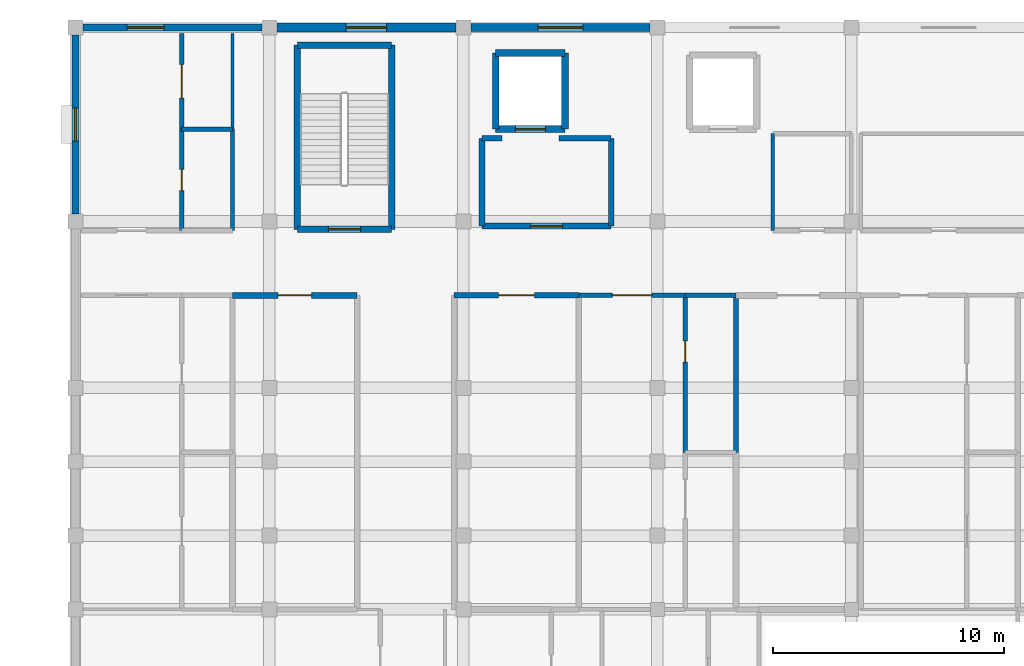
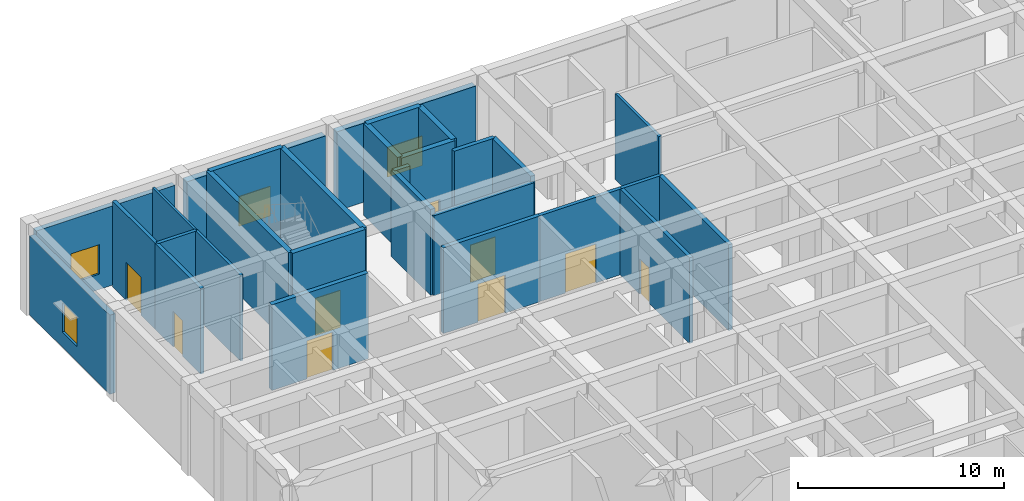
# One storey, part 57 of 89: 29 walls, 9 doors, 4 windows, 13 openings.
"""IFC4 building model written with IfcOpenShell, lengths in metres."""

from ifc_helpers import new_model, si_unit, direction, frame, frame_2d, origin, place, context, subcontext, project, spatial, rectangle, extrude, material, layer, layer_set, type_object, element, fill, save


model = new_model("IFC4")

# Units and contexts
model_context = context("Model", 3, precision=1e-05, world=origin(), true_north=direction((0.0, 1.0)))
body_context = subcontext(model_context, "Body", "Model", "MODEL_VIEW")
ifc_project = project(units=[si_unit("LENGTHUNIT", "METRE"), si_unit("AREAUNIT", "SQUARE_METRE"), si_unit("VOLUMEUNIT", "CUBIC_METRE"), si_unit("PLANEANGLEUNIT", "RADIAN"), si_unit("MASSUNIT", "GRAM", prefix="KILO")], contexts=[model_context])

# Site, building, storey
site_placement = place(None, origin())
site = spatial("IfcSite", under=ifc_project, at=site_placement, CompositionType="ELEMENT")
building_placement = place(site_placement, origin())
building = spatial("IfcBuilding", under=site, at=building_placement, Name="Varncliffe General Hospital", CompositionType="ELEMENT")
storey_placement = place(building_placement, frame((0.0, 0.0, 10.800048828125)))
storey = spatial("IfcBuildingStorey", under=building, at=storey_placement, Name="L02", CompositionType="ELEMENT", Elevation=10.800048828125)

# Wall, opening, window
ifc_material_1 = material(Name="Precast concrete C40/50 with insulated cream lime-cement stucco", Category="concrete")
ifc_layer_1 = layer(ifc_material_1, 0.31005859375)
ifc_layer_set_1 = layer_set([ifc_layer_1], Name="Precast concrete C40/50 with insulated cream lime-cement stucco")
wall_type_1 = type_object("IfcWallType", Name="Exterior Insulated Stucco Wall EW20 (310mm)", PredefinedType="SOLIDWALL", material=ifc_layer_set_1)
wall_1_placement = place(storey_placement, frame((0.0, 116.722900390625, 0.0), z_axis=(0.0, 0.0, 1.0), x_axis=(0.0, 1.0, 0.0)))
wall_1 = element("IfcWall", 1, at=wall_1_placement, inside=storey, type_object=wall_type_1, Name="L02 Exterior Stucco Wall EW20-171", PredefinedType="SOLIDWALL", context=body_context, shape_type="SweptSolid", body=[
    extrude(rectangle(XDim=7.754150390625, YDim=0.31005859375, at=frame_2d((3.876953125, 0.0))), origin(), (0.0, 0.0, 1.0), 4.679931640625),
])
opening_1_placement = place(wall_1_placement, frame((3.152099609375, 0.0, 0.89990234375)))
opening_1 = element("IfcOpeningElement", 2, at=opening_1_placement, cuts=wall_1, Name="Opening WN88", PredefinedType="OPENING", context=body_context, shape_type="SweptSolid", body=[
    extrude(rectangle(XDim=1.449951171875, YDim=1.75, at=frame_2d((0.72509765625, 0.875))), frame((0.0, 0.1650390625, 0.0), z_axis=(0.0, -1.0, 0.0), x_axis=(1.0, 0.0, 0.0)), (0.0, 0.0, 1.0), 0.330078125),
])
ifc_material_2 = material(Name="Triple low-E argon insulated vision glazing", Category="glass")
window_type_1 = type_object("IfcWindowType", Name="Triple-Glazed Hospital Window WN88 (1450x1750)", PartitioningType="SINGLE_PANEL", PredefinedType="WINDOW", material=ifc_material_2)
window_1_placement = place(opening_1_placement, origin())
window_1 = element("IfcWindow", 3, at=window_1_placement, inside=storey, type_object=window_type_1, Name="L02 Hospital Window WN88-106", OverallHeight=1.75, OverallWidth=1.449951171875, PartitioningType="SINGLE_PANEL", PredefinedType="WINDOW", context=body_context, shape_type="SweptSolid", body=[
    extrude(rectangle(XDim=1.449951171875, YDim=1.75, at=frame_2d((0.72509765625, 0.875))), frame((0.0, 0.030029296875, 0.0), z_axis=(0.0, -1.0, 0.0), x_axis=(1.0, 0.0, 0.0)), (0.0, 0.0, 1.0), 0.06005859375),
])
fill(opening_1, window_1)

ifc_layer_2 = layer(ifc_material_1, 0.3798828125)
ifc_layer_set_2 = layer_set([ifc_layer_2], Name="Precast concrete C40/50 with insulated cream lime-cement stucco")
wall_type_2 = type_object("IfcWallType", Name="Exterior Insulated Stucco Wall EW26 (380mm)", PredefinedType="SOLIDWALL", material=ifc_layer_set_2)
wall_2_placement = place(storey_placement, frame((8.722900390625, 124.800048828125, 0.0), z_axis=(0.0, 0.0, 1.0), x_axis=(1.0, 0.0, 0.0)))
wall_2 = element("IfcWall", 4, at=wall_2_placement, inside=storey, type_object=wall_type_2, Name="L02 Exterior Stucco Wall EW26-173", PredefinedType="SOLIDWALL", context=body_context, shape_type="SweptSolid", body=[
    extrude(rectangle(XDim=7.754150390625, YDim=0.3798828125, at=frame_2d((3.876953125, 0.0))), origin(), (0.0, 0.0, 1.0), 4.679931640625),
])
opening_2_placement = place(wall_2_placement, frame((3.001953125, 0.0, 0.89990234375)))
opening_2 = element("IfcOpeningElement", 5, at=opening_2_placement, cuts=wall_2, Name="Opening WN82", PredefinedType="OPENING", context=body_context, shape_type="SweptSolid", body=[
    extrude(rectangle(XDim=1.75, YDim=1.75, at=frame_2d((0.875, 0.875))), frame((0.0, 0.199951171875, 0.0), z_axis=(0.0, -1.0, 0.0), x_axis=(1.0, 0.0, 0.0)), (0.0, 0.0, 1.0), 0.39990234375),
])
window_type_2 = type_object("IfcWindowType", Name="Triple-Glazed Hospital Window WN82 (1750x1750)", PartitioningType="DOUBLE_PANEL_VERTICAL", PredefinedType="WINDOW", material=ifc_material_2)
window_2_placement = place(opening_2_placement, origin())
window_2 = element("IfcWindow", 6, at=window_2_placement, inside=storey, type_object=window_type_2, Name="L02 Hospital Window WN82-108", OverallHeight=1.75, OverallWidth=1.75, PartitioningType="DOUBLE_PANEL_VERTICAL", PredefinedType="WINDOW", context=body_context, shape_type="SweptSolid", body=[
    extrude(rectangle(XDim=1.75, YDim=1.75, at=frame_2d((0.875, 0.875))), frame((0.0, 0.030029296875, 0.0), z_axis=(0.0, -1.0, 0.0), x_axis=(1.0, 0.0, 0.0)), (0.0, 0.0, 1.0), 0.06005859375),
])
fill(opening_2, window_2)

ifc_layer_3 = layer(ifc_material_1, 0.2900390625)
ifc_layer_set_3 = layer_set([ifc_layer_3], Name="Precast concrete C40/50 with insulated cream lime-cement stucco")
wall_type_3 = type_object("IfcWallType", Name="Exterior Insulated Stucco Wall EW31 (290mm)", PredefinedType="SOLIDWALL", material=ifc_layer_set_3)
wall_3_placement = place(storey_placement, frame((0.322998046875, 124.800048828125, 0.0), z_axis=(0.0, 0.0, 1.0), x_axis=(1.0, 0.0, 0.0)))
wall_3 = element("IfcWall", 7, at=wall_3_placement, inside=storey, type_object=wall_type_3, Name="L02 Exterior Stucco Wall EW31-172", PredefinedType="SOLIDWALL", context=body_context, shape_type="SweptSolid", body=[
    extrude(rectangle(XDim=7.75390625, YDim=0.2900390625, at=frame_2d((3.876953125, 0.0))), origin(), (0.0, 0.0, 1.0), 4.679931640625),
])
opening_3_placement = place(wall_3_placement, frame((1.921142578125, 0.0, 0.89990234375)))
opening_3 = element("IfcOpeningElement", 8, at=opening_3_placement, cuts=wall_3, Name="Opening WN87", PredefinedType="OPENING", context=body_context, shape_type="SweptSolid", body=[
    extrude(rectangle(XDim=1.60009765625, YDim=1.75, at=frame_2d((0.800048828125, 0.875))), frame((0.0, 0.155029296875, 0.0), z_axis=(0.0, -1.0, 0.0), x_axis=(1.0, 0.0, 0.0)), (0.0, 0.0, 1.0), 0.31005859375),
])
window_type_3 = type_object("IfcWindowType", Name="Triple-Glazed Hospital Window WN87 (1600x1750)", PartitioningType="DOUBLE_PANEL_VERTICAL", PredefinedType="WINDOW", material=ifc_material_2)
window_3_placement = place(opening_3_placement, origin())
window_3 = element("IfcWindow", 9, at=window_3_placement, inside=storey, type_object=window_type_3, Name="L02 Hospital Window WN87-107", OverallHeight=1.75, OverallWidth=1.60009765625, PartitioningType="DOUBLE_PANEL_VERTICAL", PredefinedType="WINDOW", context=body_context, shape_type="SweptSolid", body=[
    extrude(rectangle(XDim=1.60009765625, YDim=1.75, at=frame_2d((0.800048828125, 0.875))), frame((0.0, 0.030029296875, 0.0), z_axis=(0.0, -1.0, 0.0), x_axis=(1.0, 0.0, 0.0)), (0.0, 0.0, 1.0), 0.06005859375),
])
fill(opening_3, window_3)

ifc_layer_4 = layer(ifc_material_1, 0.35009765625)
ifc_layer_set_4 = layer_set([ifc_layer_4], Name="Precast concrete C40/50 with insulated cream lime-cement stucco")
wall_type_4 = type_object("IfcWallType", Name="Exterior Insulated Stucco Wall EW37 (350mm)", PredefinedType="SOLIDWALL", material=ifc_layer_set_4)
wall_4_placement = place(storey_placement, frame((17.123046875, 124.800048828125, 0.0), z_axis=(0.0, 0.0, 1.0), x_axis=(1.0, 0.0, 0.0)))
wall_4 = element("IfcWall", 10, at=wall_4_placement, inside=storey, type_object=wall_type_4, Name="L02 Exterior Stucco Wall EW37-174", PredefinedType="SOLIDWALL", context=body_context, shape_type="SweptSolid", body=[
    extrude(rectangle(XDim=7.75390625, YDim=0.35009765625, at=frame_2d((3.876953125, 0.0))), origin(), (0.0, 0.0, 1.0), 4.679931640625),
])
opening_4_placement = place(wall_4_placement, frame((2.902099609375, 0.0, 0.89990234375)))
opening_4 = element("IfcOpeningElement", 11, at=opening_4_placement, cuts=wall_4, Name="Opening WN71", PredefinedType="OPENING", context=body_context, shape_type="SweptSolid", body=[
    extrude(rectangle(XDim=1.949951171875, YDim=1.75, at=frame_2d((0.97509765625, 0.875))), frame((0.0, 0.18505859375, 0.0), z_axis=(0.0, -1.0, 0.0), x_axis=(1.0, 0.0, 0.0)), (0.0, 0.0, 1.0), 0.3701171875),
])
window_type_4 = type_object("IfcWindowType", Name="Triple-Glazed Hospital Window WN71 (1950x1750)", PartitioningType="DOUBLE_PANEL_VERTICAL", PredefinedType="WINDOW", material=ifc_material_2)
window_4_placement = place(opening_4_placement, origin())
window_4 = element("IfcWindow", 12, at=window_4_placement, inside=storey, type_object=window_type_4, Name="L02 Hospital Window WN71-109", OverallHeight=1.75, OverallWidth=1.949951171875, PartitioningType="DOUBLE_PANEL_VERTICAL", PredefinedType="WINDOW", context=body_context, shape_type="SweptSolid", body=[
    extrude(rectangle(XDim=1.949951171875, YDim=1.75, at=frame_2d((0.97509765625, 0.875))), frame((0.0, 0.030029296875, 0.0), z_axis=(0.0, -1.0, 0.0), x_axis=(1.0, 0.0, 0.0)), (0.0, 0.0, 1.0), 0.06005859375),
])
fill(opening_4, window_4)

# Wall
ifc_material_3 = material(Name="Acoustic clinical gypsum stud partition assembly", Category="gypsum")
ifc_layer_5 = layer(ifc_material_3, 0.1298828125)
ifc_layer_set_5 = layer_set([ifc_layer_5], Name="Acoustic clinical gypsum stud partition assembly")
wall_type_5 = type_object("IfcWallType", Name="Interior Partitioning IW11 (130mm)", PredefinedType="PARTITIONING", material=ifc_layer_set_5)
wall_5_placement = place(storey_placement, frame((6.800048828125, 120.39990234375, 0.0), z_axis=(0.0, 0.0, 1.0), x_axis=(0.0, 1.0, 0.0)))
element("IfcWall", 13, at=wall_5_placement, inside=storey, type_object=wall_type_5, Name="L02 Interior Partition Wall IW11-1128", PredefinedType="PARTITIONING", context=body_context, shape_type="SweptSolid", body=[
    extrude(rectangle(XDim=4.14013671875, YDim=0.1298828125, at=frame_2d((2.070068359375, 0.0))), origin(), (0.0, 0.0, 1.0), 5.070068359375),
])

# Wall, opening, door
ifc_material_4 = material(Name="Fire-rated gypsum and mineral-wool partition assembly", Category="gypsum")
ifc_layer_6 = layer(ifc_material_4, 0.25)
ifc_layer_set_6 = layer_set([ifc_layer_6], Name="Fire-rated gypsum and mineral-wool partition assembly")
wall_type_6 = type_object("IfcWallType", Name="Interior Partitioning PW38 (250mm)", PredefinedType="PARTITIONING", material=ifc_layer_set_6)
wall_6_placement = place(storey_placement, frame((6.800048828125, 113.199951171875, 0.0), z_axis=(0.0, 0.0, 1.0), x_axis=(1.0, 0.0, 0.0)))
wall_6 = element("IfcWall", 14, at=wall_6_placement, inside=storey, type_object=wall_type_6, Name="L02 Interior Partition Wall PW38-1065", PredefinedType="PARTITIONING", context=body_context, shape_type="SweptSolid", body=[
    extrude(rectangle(XDim=5.39990234375, YDim=0.25, at=frame_2d((2.699951171875, 0.0))), origin(), (0.0, 0.0, 1.0), 5.070068359375),
])
opening_5_placement = place(wall_6_placement, frame((1.97509765625, 0.0, 0.0)))
opening_5 = element("IfcOpeningElement", 15, at=opening_5_placement, cuts=wall_6, Name="Opening DC66", PredefinedType="OPENING", context=body_context, shape_type="SweptSolid", body=[
    extrude(rectangle(XDim=1.449951171875, YDim=2.25, at=frame_2d((0.72509765625, 1.125))), frame((0.0, 0.135009765625, 0.0), z_axis=(0.0, -1.0, 0.0), x_axis=(1.0, 0.0, 0.0)), (0.0, 0.0, 1.0), 0.27001953125),
])
ifc_material_5 = material(Name="Fire-rated hospital steel-frame vision-panel door", Category="steel")
door_type_1 = type_object("IfcDoorType", Name="Interior Hospital Door DC66 (1450x2250)", OperationType="NOTDEFINED", PredefinedType="DOOR", material=ifc_material_5)
door_1_placement = place(opening_5_placement, frame((1.449951171875, 0.0, 0.0), z_axis=(0.0, 0.0, 1.0), x_axis=(-1.0, 0.0, 0.0)))
door_1 = element("IfcDoor", 16, at=door_1_placement, inside=storey, type_object=door_type_1, Name="L02 Surgical Sub-Sterile Utility Store 112 Door", OperationType="SINGLE_SWING_LEFT", OverallHeight=2.25, OverallWidth=1.449951171875, PredefinedType="DOOR", context=body_context, shape_type="SweptSolid", body=[
    extrude(rectangle(XDim=1.449951171875, YDim=2.25, at=frame_2d((0.72509765625, 1.125))), frame((0.0, 0.02490234375, 0.0), z_axis=(0.0, -1.0, 0.0), x_axis=(1.0, 0.0, 0.0)), (0.0, 0.0, 1.0), 0.050048828125),
])
fill(opening_5, door_1)

wall_7_placement = place(storey_placement, frame((17.60009765625, 116.199951171875, 0.0), z_axis=(0.0, 0.0, 1.0), x_axis=(1.0, 0.0, 0.0)))
wall_7 = element("IfcWall", 17, at=wall_7_placement, inside=storey, type_object=wall_type_6, Name="L02 Interior Partition Wall PW38-1105", PredefinedType="PARTITIONING", context=body_context, shape_type="SweptSolid", body=[
    extrude(rectangle(XDim=5.599853515625, YDim=0.25, at=frame_2d((2.7998046875, 0.0))), origin(), (0.0, 0.0, 1.0), 4.73486328125),
])
opening_6_placement = place(wall_7_placement, frame((2.10009765625, 0.0, 0.0)))
opening_6 = element("IfcOpeningElement", 18, at=opening_6_placement, cuts=wall_7, Name="Opening DF81", PredefinedType="OPENING", context=body_context, shape_type="SweptSolid", body=[
    extrude(rectangle(XDim=1.39990234375, YDim=2.199951171875, at=frame_2d((0.699951171875, 1.10009765625))), frame((0.0, 0.135009765625, 0.0), z_axis=(0.0, -1.0, 0.0), x_axis=(1.0, 0.0, 0.0)), (0.0, 0.0, 1.0), 0.27001953125),
])
door_type_2 = type_object("IfcDoorType", Name="Interior Hospital Door DF81 (1400x2200)", OperationType="NOTDEFINED", PredefinedType="DOOR", material=ifc_material_5)
door_2_placement = place(opening_6_placement, origin())
door_2 = element("IfcDoor", 19, at=door_2_placement, inside=storey, type_object=door_type_2, Name="L02 Firefighting Lift Lobby LF01 Door", OperationType="SINGLE_SWING_RIGHT", OverallHeight=2.199951171875, OverallWidth=1.39990234375, PredefinedType="DOOR", context=body_context, shape_type="SweptSolid", body=[
    extrude(rectangle(XDim=1.39990234375, YDim=2.199951171875, at=frame_2d((0.699951171875, 1.10009765625))), frame((0.0, 0.02490234375, 0.0), z_axis=(0.0, -1.0, 0.0), x_axis=(1.0, 0.0, 0.0)), (0.0, 0.0, 1.0), 0.050048828125),
])
fill(opening_6, door_2)

# Walls
for number, where, z_axis, x_axis, name in (
    (20, (17.60009765625, 116.199951171875, 0.0), (0.0, 0.0, 1.0), (0.0, 1.0, 0.0), "L02 Interior Partition Wall PW38-1145"),
    (21, (23.199951171875, 116.199951171875, 0.0), (0.0, 0.0, 1.0), (0.0, 1.0, 0.0), "L02 Interior Partition Wall PW38-1151"),
):
    element("IfcWall", number, at=place(storey_placement, frame(where, z_axis=z_axis, x_axis=x_axis)), inside=storey, type_object=wall_type_6, Name=name, PredefinedType="PARTITIONING", context=body_context, shape_type="SweptSolid", body=[
        extrude(rectangle(XDim=3.800048828125, YDim=0.25, at=frame_2d((1.89990234375, 0.0))), origin(), (0.0, 0.0, 1.0), 5.070068359375),
    ])

# Wall, opening, door
ifc_layer_7 = layer(ifc_material_4, 0.22998046875)
ifc_layer_set_7 = layer_set([ifc_layer_7], Name="Fire-rated gypsum and mineral-wool partition assembly")
wall_type_7 = type_object("IfcWallType", Name="Interior Partitioning PW48 (230mm)", PredefinedType="PARTITIONING", material=ifc_layer_set_7)
wall_8_placement = place(storey_placement, frame((16.39990234375, 113.199951171875, 0.0), z_axis=(0.0, 0.0, 1.0), x_axis=(1.0, 0.0, 0.0)))
wall_8 = element("IfcWall", 22, at=wall_8_placement, inside=storey, type_object=wall_type_7, Name="L02 Interior Partition Wall PW48-1066", PredefinedType="PARTITIONING", context=body_context, shape_type="SweptSolid", body=[
    extrude(rectangle(XDim=5.400146484375, YDim=0.22998046875, at=frame_2d((2.7001953125, 0.0))), origin(), (0.0, 0.0, 1.0), 5.070068359375),
])
opening_7_placement = place(wall_8_placement, frame((1.925048828125, 0.0, 0.0)))
opening_7 = element("IfcOpeningElement", 23, at=opening_7_placement, cuts=wall_8, Name="Opening DC67", PredefinedType="OPENING", context=body_context, shape_type="SweptSolid", body=[
    extrude(rectangle(XDim=1.550048828125, YDim=2.25, at=frame_2d((0.77490234375, 1.125))), frame((0.0, 0.125, 0.0), z_axis=(0.0, -1.0, 0.0), x_axis=(1.0, 0.0, 0.0)), (0.0, 0.0, 1.0), 0.25),
])
door_type_3 = type_object("IfcDoorType", Name="Interior Hospital Door DC67 (1550x2250)", OperationType="NOTDEFINED", PredefinedType="DOOR", material=ifc_material_5)
door_3_placement = place(opening_7_placement, frame((1.550048828125, 0.0, 0.0), z_axis=(0.0, 0.0, 1.0), x_axis=(-1.0, 0.0, 0.0)))
door_3 = element("IfcDoor", 24, at=door_3_placement, inside=storey, type_object=door_type_3, Name="L02 Surgical Sub-Sterile Utility Store 113 Door", OperationType="SINGLE_SWING_RIGHT", OverallHeight=2.25, OverallWidth=1.550048828125, PredefinedType="DOOR", context=body_context, shape_type="SweptSolid", body=[
    extrude(rectangle(XDim=1.550048828125, YDim=2.25, at=frame_2d((0.77490234375, 1.125))), frame((0.0, 0.02490234375, 0.0), z_axis=(0.0, -1.0, 0.0), x_axis=(1.0, 0.0, 0.0)), (0.0, 0.0, 1.0), 0.050048828125),
])
fill(opening_7, door_3)

# Walls
wall_9_placement = place(storey_placement, frame((20.935791015625, 120.0, 0.0), z_axis=(0.0, 0.0, 1.0), x_axis=(1.0, 0.0, 0.0)))
element("IfcWall", 25, at=wall_9_placement, inside=storey, type_object=wall_type_7, Name="L02 Interior Partition Wall PW48-1108", PredefinedType="PARTITIONING", context=body_context, shape_type="SweptSolid", body=[
    extrude(rectangle(XDim=2.26416015625, YDim=0.22998046875, at=frame_2d((1.132080078125, 0.0))), origin(), (0.0, 0.0, 1.0), 5.070068359375),
])
wall_10_placement = place(storey_placement, frame((17.60009765625, 120.0, 0.0), z_axis=(0.0, 0.0, 1.0), x_axis=(1.0, 0.0, 0.0)))
element("IfcWall", 26, at=wall_10_placement, inside=storey, type_object=wall_type_7, Name="L02 Interior Partition Wall PW48-1109", PredefinedType="PARTITIONING", context=body_context, shape_type="SweptSolid", body=[
    extrude(rectangle(XDim=0.864013671875, YDim=0.22998046875, at=frame_2d((0.43212890625, 0.0))), origin(), (0.0, 0.0, 1.0), 5.070068359375),
])
wall_11_placement = place(storey_placement, frame((28.60009765625, 106.39990234375, 0.0), z_axis=(0.0, 0.0, 1.0), x_axis=(0.0, 1.0, 0.0)))
element("IfcWall", 27, at=wall_11_placement, inside=storey, type_object=wall_type_7, Name="L02 Interior Partition Wall PW48-1158", PredefinedType="PARTITIONING", context=body_context, shape_type="SweptSolid", body=[
    extrude(rectangle(XDim=6.800048828125, YDim=0.22998046875, at=frame_2d((3.39990234375, 0.0))), origin(), (0.0, 0.0, 1.0), 5.070068359375),
])

# Wall, opening, door
ifc_layer_8 = layer(ifc_material_4, 0.199951171875)
ifc_layer_set_8 = layer_set([ifc_layer_8], Name="Fire-rated gypsum and mineral-wool partition assembly")
wall_type_8 = type_object("IfcWallType", Name="Interior Partitioning PW63 (200mm)", PredefinedType="PARTITIONING", material=ifc_layer_set_8)
wall_12_placement = place(storey_placement, frame((21.800048828125, 113.199951171875, 0.0), z_axis=(0.0, 0.0, 1.0), x_axis=(1.0, 0.0, 0.0)))
wall_12 = element("IfcWall", 28, at=wall_12_placement, inside=storey, type_object=wall_type_8, Name="L02 Interior Partition Wall PW63-1067", PredefinedType="PARTITIONING", context=body_context, shape_type="SweptSolid", body=[
    extrude(rectangle(XDim=4.599853515625, YDim=0.199951171875, at=frame_2d((2.2998046875, 0.0))), origin(), (0.0, 0.0, 1.0), 5.070068359375),
])
opening_8_placement = place(wall_12_placement, frame((1.449951171875, 0.0, 0.0)))
opening_8 = element("IfcOpeningElement", 29, at=opening_8_placement, cuts=wall_12, Name="Opening DC50", PredefinedType="OPENING", context=body_context, shape_type="SweptSolid", body=[
    extrude(rectangle(XDim=1.699951171875, YDim=2.300048828125, at=frame_2d((0.85009765625, 1.14990234375))), frame((0.0, 0.10986328125, 0.0), z_axis=(0.0, -1.0, 0.0), x_axis=(1.0, 0.0, 0.0)), (0.0, 0.0, 1.0), 0.219970703125),
])
door_type_4 = type_object("IfcDoorType", Name="Interior Hospital Door DC50 (1700x2300)", OperationType="NOTDEFINED", PredefinedType="DOOR", material=ifc_material_5)
door_4_placement = place(opening_8_placement, frame((1.699951171875, 0.0, 0.0), z_axis=(0.0, 0.0, 1.0), x_axis=(-1.0, 0.0, 0.0)))
door_4 = element("IfcDoor", 30, at=door_4_placement, inside=storey, type_object=door_type_4, Name="L02 Surgical Inpatient Ward Room 114 Door", OperationType="SINGLE_SWING_LEFT", OverallHeight=2.300048828125, OverallWidth=1.699951171875, PredefinedType="DOOR", context=body_context, shape_type="SweptSolid", body=[
    extrude(rectangle(XDim=1.699951171875, YDim=2.300048828125, at=frame_2d((0.85009765625, 1.14990234375))), frame((0.0, 0.02490234375, 0.0), z_axis=(0.0, -1.0, 0.0), x_axis=(1.0, 0.0, 0.0)), (0.0, 0.0, 1.0), 0.050048828125),
])
fill(opening_8, door_4)

wall_13_placement = place(storey_placement, frame((4.60009765625, 116.0, 0.0), z_axis=(0.0, 0.0, 1.0), x_axis=(0.0, 1.0, 0.0)))
wall_13 = element("IfcWall", 31, at=wall_13_placement, inside=storey, type_object=wall_type_8, Name="L02 Interior Partition Wall PW63-1123", PredefinedType="PARTITIONING", context=body_context, shape_type="SweptSolid", body=[
    extrude(rectangle(XDim=4.39990234375, YDim=0.199951171875, at=frame_2d((2.199951171875, 0.0))), origin(), (0.0, 0.0, 1.0), 5.070068359375),
])
opening_9_placement = place(wall_13_placement, frame((1.739990234375, 0.0, 0.0)))
opening_9 = element("IfcOpeningElement", 32, at=opening_9_placement, cuts=wall_13, Name="Opening DI70", PredefinedType="OPENING", context=body_context, shape_type="SweptSolid", body=[
    extrude(rectangle(XDim=0.919921875, YDim=2.10009765625, at=frame_2d((0.4599609375, 1.050048828125))), frame((0.0, 0.10986328125, 0.0), z_axis=(0.0, -1.0, 0.0), x_axis=(1.0, 0.0, 0.0)), (0.0, 0.0, 1.0), 0.219970703125),
])
ifc_material_6 = material(Name="Solid-core antimicrobial hospital oak veneer door", Category="wood")
door_type_5 = type_object("IfcDoorType", Name="Interior Hospital Door DI70 (920x2100)", OperationType="NOTDEFINED", PredefinedType="DOOR", material=ifc_material_6)
door_5_placement = place(opening_9_placement, frame((0.919921875, 0.0, 0.0), z_axis=(0.0, 0.0, 1.0), x_axis=(-1.0, 0.0, 0.0)))
door_5 = element("IfcDoor", 33, at=door_5_placement, inside=storey, type_object=door_type_5, Name="L02 En-Suite Bathroom 147 Door", OperationType="SINGLE_SWING_LEFT", OverallHeight=2.10009765625, OverallWidth=0.919921875, PredefinedType="DOOR", context=body_context, shape_type="SweptSolid", body=[
    extrude(rectangle(XDim=0.919921875, YDim=2.10009765625, at=frame_2d((0.4599609375, 1.050048828125))), frame((0.0, 0.02490234375, 0.0), z_axis=(0.0, -1.0, 0.0), x_axis=(1.0, 0.0, 0.0)), (0.0, 0.0, 1.0), 0.050048828125),
])
fill(opening_9, door_5)

wall_14_placement = place(storey_placement, frame((4.60009765625, 120.39990234375, 0.0), z_axis=(0.0, 0.0, 1.0), x_axis=(0.0, 1.0, 0.0)))
wall_14 = element("IfcWall", 34, at=wall_14_placement, inside=storey, type_object=wall_type_8, Name="L02 Interior Partition Wall PW63-1124", PredefinedType="PARTITIONING", context=body_context, shape_type="SweptSolid", body=[
    extrude(rectangle(XDim=4.14013671875, YDim=0.199951171875, at=frame_2d((2.070068359375, 0.0))), origin(), (0.0, 0.0, 1.0), 5.070068359375),
])
opening_10_placement = place(wall_14_placement, frame((1.344970703125, 0.0, 0.0)))
opening_10 = element("IfcOpeningElement", 35, at=opening_10_placement, cuts=wall_14, Name="Opening DC66", PredefinedType="OPENING", context=body_context, shape_type="SweptSolid", body=[
    extrude(rectangle(XDim=1.449951171875, YDim=2.25, at=frame_2d((0.72509765625, 1.125))), frame((0.0, 0.10986328125, 0.0), z_axis=(0.0, -1.0, 0.0), x_axis=(1.0, 0.0, 0.0)), (0.0, 0.0, 1.0), 0.219970703125),
])
door_6_placement = place(opening_10_placement, frame((1.449951171875, 0.0, 0.0), z_axis=(0.0, 0.0, 1.0), x_axis=(-1.0, 0.0, 0.0)))
door_6 = element("IfcDoor", 36, at=door_6_placement, inside=storey, type_object=door_type_1, Name="L02 Patient Medication and Hygiene Bay 148 Door", OperationType="SINGLE_SWING_RIGHT", OverallHeight=2.25, OverallWidth=1.449951171875, PredefinedType="DOOR", context=body_context, shape_type="SweptSolid", body=[
    extrude(rectangle(XDim=1.449951171875, YDim=2.25, at=frame_2d((0.72509765625, 1.125))), frame((0.0, 0.02490234375, 0.0), z_axis=(0.0, -1.0, 0.0), x_axis=(1.0, 0.0, 0.0)), (0.0, 0.0, 1.0), 0.050048828125),
])
fill(opening_10, door_6)

wall_15_placement = place(storey_placement, frame((26.39990234375, 106.39990234375, 0.0), z_axis=(0.0, 0.0, 1.0), x_axis=(0.0, 1.0, 0.0)))
wall_15 = element("IfcWall", 37, at=wall_15_placement, inside=storey, type_object=wall_type_8, Name="L02 Interior Partition Wall PW63-1154", PredefinedType="PARTITIONING", context=body_context, shape_type="SweptSolid", body=[
    extrude(rectangle(XDim=6.800048828125, YDim=0.199951171875, at=frame_2d((3.39990234375, 0.0))), origin(), (0.0, 0.0, 1.0), 5.070068359375),
])
opening_11_placement = place(wall_15_placement, frame((3.912109375, 0.0, 0.0)))
opening_11 = element("IfcOpeningElement", 38, at=opening_11_placement, cuts=wall_15, Name="Opening DI70", PredefinedType="OPENING", context=body_context, shape_type="SweptSolid", body=[
    extrude(rectangle(XDim=0.919921875, YDim=2.10009765625, at=frame_2d((0.4599609375, 1.050048828125))), frame((0.0, 0.10986328125, 0.0), z_axis=(0.0, -1.0, 0.0), x_axis=(1.0, 0.0, 0.0)), (0.0, 0.0, 1.0), 0.219970703125),
])
door_7_placement = place(opening_11_placement, frame((0.919921875, 0.0, 0.0), z_axis=(0.0, 0.0, 1.0), x_axis=(-1.0, 0.0, 0.0)))
door_7 = element("IfcDoor", 39, at=door_7_placement, inside=storey, type_object=door_type_5, Name="L02 En-Suite Bathroom 115 Door", OperationType="SINGLE_SWING_LEFT", OverallHeight=2.10009765625, OverallWidth=0.919921875, PredefinedType="DOOR", context=body_context, shape_type="SweptSolid", body=[
    extrude(rectangle(XDim=0.919921875, YDim=2.10009765625, at=frame_2d((0.4599609375, 1.050048828125))), frame((0.0, 0.02490234375, 0.0), z_axis=(0.0, -1.0, 0.0), x_axis=(1.0, 0.0, 0.0)), (0.0, 0.0, 1.0), 0.050048828125),
])
fill(opening_11, door_7)

# Walls
ifc_material_7 = material(Name="Moisture-resistant plumbing chase wall assembly", Category="gypsum")
ifc_layer_9 = layer(ifc_material_7, 0.18994140625)
ifc_layer_set_9 = layer_set([ifc_layer_9], Name="Moisture-resistant plumbing chase wall assembly")
wall_type_9 = type_object("IfcWallType", Name="Interior Plumbingwall MW17 (190mm)", PredefinedType="PLUMBINGWALL", material=ifc_layer_set_9)
wall_16_placement = place(storey_placement, frame((26.39990234375, 113.199951171875, 0.0), z_axis=(0.0, 0.0, 1.0), x_axis=(1.0, 0.0, 0.0)))
element("IfcWall", 40, at=wall_16_placement, inside=storey, type_object=wall_type_9, Name="L02 Interior Plumbing Wall MW17-1068", PredefinedType="PLUMBINGWALL", context=body_context, shape_type="SweptSolid", body=[
    extrude(rectangle(XDim=2.2001953125, YDim=0.18994140625, at=frame_2d((1.10009765625, 0.0))), origin(), (0.0, 0.0, 1.0), 5.070068359375),
])
wall_17_placement = place(storey_placement, frame((4.60009765625, 120.39990234375, 0.0), z_axis=(0.0, 0.0, 1.0), x_axis=(1.0, 0.0, 0.0)))
element("IfcWall", 41, at=wall_17_placement, inside=storey, type_object=wall_type_9, Name="L02 Interior Plumbing Wall MW17-1118", PredefinedType="PLUMBINGWALL", context=body_context, shape_type="SweptSolid", body=[
    extrude(rectangle(XDim=2.199951171875, YDim=0.18994140625, at=frame_2d((1.10009765625, 0.0))), origin(), (0.0, 0.0, 1.0), 5.070068359375),
])
ifc_layer_10 = layer(ifc_material_7, 0.159912109375)
ifc_layer_set_10 = layer_set([ifc_layer_10], Name="Moisture-resistant plumbing chase wall assembly")
wall_type_10 = type_object("IfcWallType", Name="Interior Plumbingwall MW31 (160mm)", PredefinedType="PLUMBINGWALL", material=ifc_layer_set_10)
wall_18_placement = place(storey_placement, frame((6.800048828125, 116.0, 0.0), z_axis=(0.0, 0.0, 1.0), x_axis=(0.0, 1.0, 0.0)))
element("IfcWall", 42, at=wall_18_placement, inside=storey, type_object=wall_type_10, Name="L02 Interior Plumbing Wall MW31-1127", PredefinedType="PLUMBINGWALL", context=body_context, shape_type="SweptSolid", body=[
    extrude(rectangle(XDim=4.39990234375, YDim=0.159912109375, at=frame_2d((2.199951171875, 0.0))), origin(), (0.0, 0.0, 1.0), 5.070068359375),
])
wall_19_placement = place(storey_placement, frame((30.199951171875, 116.0, 0.0), z_axis=(0.0, 0.0, 1.0), x_axis=(0.0, 1.0, 0.0)))
element("IfcWall", 43, at=wall_19_placement, inside=storey, type_object=wall_type_10, Name="L02 Interior Plumbing Wall MW31-1161", PredefinedType="PLUMBINGWALL", context=body_context, shape_type="SweptSolid", body=[
    extrude(rectangle(XDim=4.199951171875, YDim=0.159912109375, at=frame_2d((2.10009765625, 0.0))), origin(), (0.0, 0.0, 1.0), 5.070068359375),
])

# Wall, opening, door
ifc_material_8 = material(Name="Concrete C40/50 (CSA A23.1 40 MPa)", Category="concrete")
ifc_layer_11 = layer(ifc_material_8, 0.300048828125)
ifc_layer_set_11 = layer_set([ifc_layer_11], Name="Concrete C40/50 (CSA A23.1 40 MPa)")
wall_type_11 = type_object("IfcWallType", Name="Reinforced Concrete Core Shear Wall CW12 (300mm)", PredefinedType="SHEAR", material=ifc_layer_set_11)
wall_20_placement = place(storey_placement, frame((18.199951171875, 120.39990234375, 0.0), z_axis=(0.0, 0.0, 1.0), x_axis=(1.0, 0.0, 0.0)))
wall_20 = element("IfcWall", 44, at=wall_20_placement, inside=storey, type_object=wall_type_11, Name="L02 LF01 Elevator Shaft Wall South", PredefinedType="SHEAR", context=body_context, shape_type="SweptSolid", body=[
    extrude(rectangle(XDim=3.0, YDim=0.300048828125, at=frame_2d((1.5, 0.0))), origin(), (0.0, 0.0, 1.0), 5.39990234375),
])
opening_12_placement = place(wall_20_placement, frame((0.85009765625, 0.0, 0.0)))
opening_12 = element("IfcOpeningElement", 45, at=opening_12_placement, cuts=wall_20, Name="Opening LD02", PredefinedType="OPENING", context=body_context, shape_type="SweptSolid", body=[
    extrude(rectangle(XDim=1.300048828125, YDim=2.199951171875, at=frame_2d((0.64990234375, 1.10009765625))), frame((0.0, 0.16015625, 0.0), z_axis=(0.0, -1.0, 0.0), x_axis=(1.0, 0.0, 0.0)), (0.0, 0.0, 1.0), 0.320068359375),
])
ifc_material_9 = material(Name="Brushed stainless-steel sliding elevator landing door", Category="steel")
door_type_6 = type_object("IfcDoorType", Name="Lift Landing Door LD02 (1300x2200)", OperationType="DOUBLE_DOOR_SLIDING", PredefinedType="DOOR", material=ifc_material_9)
door_8_placement = place(opening_12_placement, origin())
door_8 = element("IfcDoor", 46, at=door_8_placement, inside=storey, type_object=door_type_6, Name="Lift Landing Door LF01 L02", OperationType="DOUBLE_DOOR_SLIDING", OverallHeight=2.199951171875, OverallWidth=1.300048828125, PredefinedType="DOOR", context=body_context, shape_type="SweptSolid", body=[
    extrude(rectangle(XDim=1.300048828125, YDim=2.199951171875, at=frame_2d((0.64990234375, 1.10009765625))), frame((0.0, 0.02490234375, 0.0), z_axis=(0.0, -1.0, 0.0), x_axis=(1.0, 0.0, 0.0)), (0.0, 0.0, 1.0), 0.050048828125),
])
fill(opening_12, door_8)

# Walls
wall_21_placement = place(storey_placement, frame((21.199951171875, 120.39990234375, 0.0), z_axis=(0.0, 0.0, 1.0), x_axis=(0.0, 1.0, 0.0)))
element("IfcWall", 47, at=wall_21_placement, inside=storey, type_object=wall_type_11, Name="L02 LF01 Elevator Shaft Wall East", PredefinedType="SHEAR", context=body_context, shape_type="SweptSolid", body=[
    extrude(rectangle(XDim=3.300048828125, YDim=0.300048828125, at=frame_2d((1.64990234375, 0.0))), origin(), (0.0, 0.0, 1.0), 5.39990234375),
])
wall_22_placement = place(storey_placement, frame((21.199951171875, 123.699951171875, 0.0), z_axis=(0.0, 0.0, 1.0), x_axis=(-1.0, 0.0, 0.0)))
element("IfcWall", 48, at=wall_22_placement, inside=storey, type_object=wall_type_11, Name="L02 LF01 Elevator Shaft Wall North", PredefinedType="SHEAR", context=body_context, shape_type="SweptSolid", body=[
    extrude(rectangle(XDim=3.0, YDim=0.300048828125, at=frame_2d((1.5, 0.0))), origin(), (0.0, 0.0, 1.0), 5.39990234375),
])
wall_23_placement = place(storey_placement, frame((18.199951171875, 123.699951171875, 0.0), z_axis=(0.0, 0.0, 1.0), x_axis=(0.0, -1.0, 0.0)))
element("IfcWall", 49, at=wall_23_placement, inside=storey, type_object=wall_type_11, Name="L02 LF01 Elevator Shaft Wall West", PredefinedType="SHEAR", context=body_context, shape_type="SweptSolid", body=[
    extrude(rectangle(XDim=3.300048828125, YDim=0.300048828125, at=frame_2d((1.64990234375, 0.0))), origin(), (0.0, 0.0, 1.0), 5.39990234375),
])
ifc_layer_12 = layer(ifc_material_8, 0.280029296875)
ifc_layer_set_12 = layer_set([ifc_layer_12], Name="Concrete C40/50 (CSA A23.1 40 MPa)")
wall_type_12 = type_object("IfcWallType", Name="Reinforced Concrete Core Shear Wall CW13 (280mm)", PredefinedType="SHEAR", material=ifc_layer_set_12)
wall_24_placement = place(storey_placement, frame((13.68994140625, 116.06005859375, 0.0), z_axis=(0.0, 0.0, 1.0), x_axis=(0.0, 1.0, 0.0)))
element("IfcWall", 50, at=wall_24_placement, inside=storey, type_object=wall_type_12, Name="L02 ST01 Core Shear Wall L", PredefinedType="SHEAR", context=body_context, shape_type="SweptSolid", body=[
    extrude(rectangle(XDim=7.97998046875, YDim=0.280029296875, at=frame_2d((3.989990234375, 0.0))), origin(), (0.0, 0.0, 1.0), 5.39990234375),
])
wall_25_placement = place(storey_placement, frame((13.68994140625, 124.0400390625, 0.0), z_axis=(0.0, 0.0, 1.0), x_axis=(-1.0, 0.0, 0.0)))
element("IfcWall", 51, at=wall_25_placement, inside=storey, type_object=wall_type_12, Name="L02 ST01 Core Shear Wall F", PredefinedType="SHEAR", context=body_context, shape_type="SweptSolid", body=[
    extrude(rectangle(XDim=4.079833984375, YDim=0.280029296875, at=frame_2d((2.0400390625, 0.0))), origin(), (0.0, 0.0, 1.0), 5.39990234375),
])
wall_26_placement = place(storey_placement, frame((9.610107421875, 124.0400390625, 0.0), z_axis=(0.0, 0.0, 1.0), x_axis=(0.0, -1.0, 0.0)))
element("IfcWall", 52, at=wall_26_placement, inside=storey, type_object=wall_type_12, Name="L02 ST01 Core Shear Wall R", PredefinedType="SHEAR", context=body_context, shape_type="SweptSolid", body=[
    extrude(rectangle(XDim=7.97998046875, YDim=0.280029296875, at=frame_2d((3.989990234375, 0.0))), origin(), (0.0, 0.0, 1.0), 5.39990234375),
])

# Wall, opening, door
wall_27_placement = place(storey_placement, frame((9.610107421875, 116.06005859375, 0.0), z_axis=(0.0, 0.0, 1.0), x_axis=(1.0, 0.0, 0.0)))
wall_27 = element("IfcWall", 53, at=wall_27_placement, inside=storey, type_object=wall_type_12, Name="L02 ST01 Core Shear Wall N", PredefinedType="SHEAR", context=body_context, shape_type="SweptSolid", body=[
    extrude(rectangle(XDim=4.079833984375, YDim=0.280029296875, at=frame_2d((2.0400390625, 0.0))), origin(), (0.0, 0.0, 1.0), 5.39990234375),
])
opening_13_placement = place(wall_27_placement, frame((1.340087890625, 0.0, 0.0)))
opening_13 = element("IfcOpeningElement", 54, at=opening_13_placement, cuts=wall_27, Name="Opening DF81", PredefinedType="OPENING", context=body_context, shape_type="SweptSolid", body=[
    extrude(rectangle(XDim=1.39990234375, YDim=2.199951171875, at=frame_2d((0.699951171875, 1.10009765625))), frame((0.0, 0.14990234375, 0.0), z_axis=(0.0, -1.0, 0.0), x_axis=(1.0, 0.0, 0.0)), (0.0, 0.0, 1.0), 0.300048828125),
])
door_9_placement = place(opening_13_placement, frame((1.39990234375, 0.0, 0.0), z_axis=(0.0, 0.0, 1.0), x_axis=(-1.0, 0.0, 0.0)))
door_9 = element("IfcDoor", 55, at=door_9_placement, inside=storey, type_object=door_type_2, Name="L02 ST01 Protected Exit Stair Door", OperationType="SINGLE_SWING_RIGHT", OverallHeight=2.199951171875, OverallWidth=1.39990234375, PredefinedType="DOOR", context=body_context, shape_type="SweptSolid", body=[
    extrude(rectangle(XDim=1.39990234375, YDim=2.199951171875, at=frame_2d((0.699951171875, 1.10009765625))), frame((0.0, 0.02490234375, 0.0), z_axis=(0.0, -1.0, 0.0), x_axis=(1.0, 0.0, 0.0)), (0.0, 0.0, 1.0), 0.050048828125),
])
fill(opening_13, door_9)

save(model, "model.ifc")
